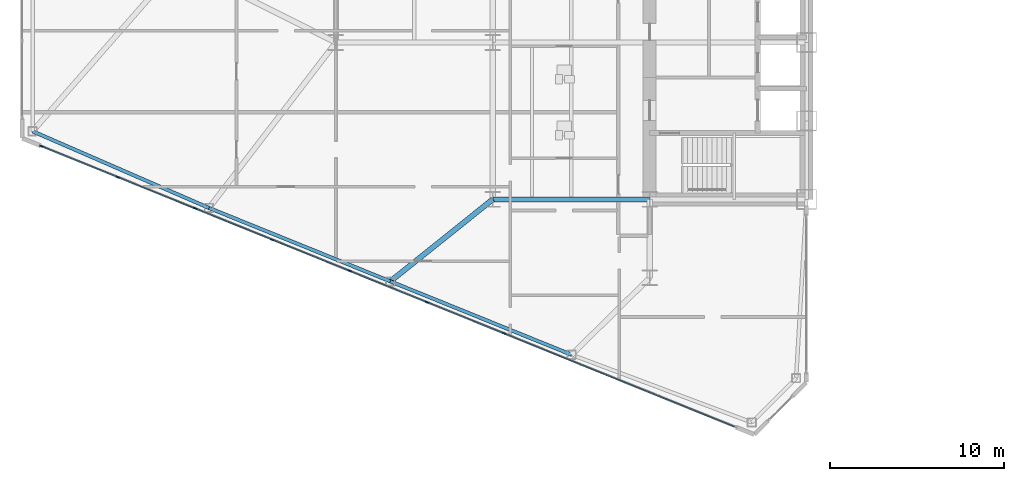
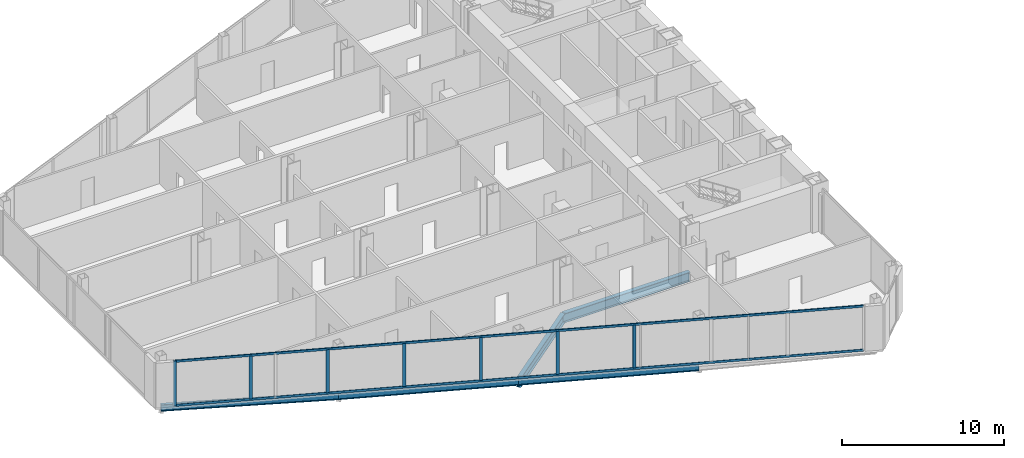
# One storey, part 3 of 25: 9 members, 5 beams, 1 element without a shape of its own.
"""IFC4 building model written with IfcOpenShell, lengths in metres."""

from ifc_helpers import new_model, si_unit, direction, frame, origin, origin_2d, place, context, subcontext, project, spatial, rectangle, i_section, extrude, source, transform, mapped, material, layer, layer_set, material_profile, profile_set, type_object, type_shapes, element, aggregate, save


model = new_model("IFC4")

# Units and contexts
model_context = context("Model", 3, precision=1e-05, world=origin(), true_north=direction((0.0, 1.0)))
body_context = subcontext(model_context, "Body", "Model", "MODEL_VIEW")
ifc_project = project(units=[si_unit("LENGTHUNIT", "METRE"), si_unit("AREAUNIT", "SQUARE_METRE"), si_unit("VOLUMEUNIT", "CUBIC_METRE"), si_unit("PLANEANGLEUNIT", "RADIAN"), si_unit("MASSUNIT", "GRAM", prefix="KILO")], contexts=[model_context])

# Site, building, storey
site_placement = place(None, origin())
site = spatial("IfcSite", under=ifc_project, at=site_placement, CompositionType="ELEMENT")
building_placement = place(site_placement, origin())
building = spatial("IfcBuilding", under=site, at=building_placement, Name="Seokmaru Belvedere", CompositionType="ELEMENT")
storey_placement = place(building_placement, frame((0.0, 0.0, 44.10009765625)))
storey = spatial("IfcBuildingStorey", under=building, at=storey_placement, Name="L11", CompositionType="ELEMENT", Elevation=44.10009765625)

# Beams
ifc_material_1 = material(Name="Steel SM355 (355 MPa)", Category="steel")
ifc_material_profile_1 = material_profile(ifc_material_1, i_section(OverallWidth=0.300048828125, OverallDepth=0.699951171875, WebThickness=0.012939453125, FlangeThickness=0.02392578125, at=origin_2d()), Name="H-700x300x13x24")
ifc_profile_set_1 = profile_set([ifc_material_profile_1], Name="Steel SM355 (355 MPa)")
beam_type_1 = type_object("IfcBeamType", Name="Primary Floor Girder H-700", PredefinedType="BEAM", material=ifc_profile_set_1)
shared_shape_1 = source(origin(), body_context, "Body", "SweptSolid", [
    extrude(i_section(OverallWidth=0.300048828125, OverallDepth=0.699951171875, WebThickness=0.012939453125, FlangeThickness=0.02392578125, at=origin_2d()), origin(), (0.0, 0.0, 1.0), 9.0),
])
beam_1_placement = place(storey_placement, frame((-45.5, -13.5, -0.570068359375), z_axis=(1.0, 0.0, 0.0), x_axis=(0.0, 1.0, 0.0)))
element("IfcBeam", 1, at=beam_1_placement, inside=storey, type_object=beam_type_1, Name="L11 W Wing Primary Girder 1", PredefinedType="BEAM", context=body_context, shape_type="MappedRepresentation", body=[
    mapped(shared_shape_1, transform((0.0, 0.0, 0.0), scale=1.0)),
])
ifc_material_profile_2 = material_profile(ifc_material_1, i_section(OverallWidth=0.199951171875, OverallDepth=0.5, WebThickness=0.010009765625, FlangeThickness=0.01611328125, at=origin_2d()), Name="H-500x200x10x16")
ifc_profile_set_2 = profile_set([ifc_material_profile_2], Name="Steel SM355 (355 MPa)")
beam_type_2 = type_object("IfcBeamType", Name="Perimeter Spandrel Beam H-500", PredefinedType="SPANDREL", material=ifc_profile_set_2)
shared_shape_2 = source(origin(), body_context, "Body", "SweptSolid", [
    extrude(i_section(OverallWidth=0.199951171875, OverallDepth=0.5, WebThickness=0.010009765625, FlangeThickness=0.01611328125, at=origin_2d()), origin(), (0.0, 0.0, 1.0), 11.220703125),
])
for number, where, z_axis, x_axis, name in (
    (2, (-40.977294921875, -22.4140625, -0.47021484375), (-0.926944290816, 0.375198989503, 0.0), (-0.375198989503, -0.926944290816, 0.0), "L11 W Faceted Flank Spandrel S-2"),
    (3, (-51.378173828125, -18.2041015625, -0.47021484375), (-0.926944290816, 0.375198989503, 0.0), (-0.375198989503, -0.926944290816, 0.0), "L11 W Faceted Flank Spandrel S-3"),
):
    element("IfcBeam", number, at=place(storey_placement, frame(where, z_axis=z_axis, x_axis=x_axis)), inside=storey, type_object=beam_type_2, Name=name, PredefinedType="SPANDREL", context=body_context, shape_type="MappedRepresentation", body=[
        mapped(shared_shape_2, transform((0.0, 0.0, 0.0), scale=1.0)),
    ])
shared_shape_3 = source(origin(), body_context, "Body", "SweptSolid", [
    extrude(i_section(OverallWidth=0.199951171875, OverallDepth=0.5, WebThickness=0.010009765625, FlangeThickness=0.01611328125, at=origin_2d()), origin(), (0.0, 0.0, 1.0), 11.035400390625),
])
type_shapes(beam_type_2, [shared_shape_2, shared_shape_3])
beam_2_placement = place(storey_placement, frame((-61.779052734375, -13.994140625, -0.47021484375), z_axis=(-0.917134058682, 0.398578873507, 0.0), x_axis=(-0.398578873507, -0.917134058682, 0.0)))
element("IfcBeam", 4, at=beam_2_placement, inside=storey, type_object=beam_type_2, Name="L11 W Faceted Flank Spandrel S-4", PredefinedType="SPANDREL", context=body_context, shape_type="MappedRepresentation", body=[
    mapped(shared_shape_3, transform((0.0, 0.0, 0.0), scale=1.0)),
])
shared_shape_4 = source(origin(), body_context, "Body", "SweptSolid", [
    extrude(i_section(OverallWidth=0.300048828125, OverallDepth=0.699951171875, WebThickness=0.012939453125, FlangeThickness=0.02392578125, at=origin_2d()), origin(), (0.0, 0.0, 1.0), 7.52880859375),
])
type_shapes(beam_type_1, [shared_shape_1, shared_shape_4])
beam_3_placement = place(storey_placement, frame((-51.378173828125, -18.2041015625, -0.570068359375), z_axis=(0.780767560736, 0.624821587418, 0.0), x_axis=(-0.624821587418, 0.780767560736, 0.0)))
element("IfcBeam", 5, at=beam_3_placement, inside=storey, type_object=beam_type_1, Name="L11 W Flank Radial Floor Girder S-2", PredefinedType="BEAM", context=body_context, shape_type="MappedRepresentation", body=[
    mapped(shared_shape_4, transform((0.0, 0.0, 0.0), scale=1.0)),
])

# Curtain wall, members
ifc_material_2 = material(Name="Bronze Triple Insulating Glass", Category="glass")
ifc_layer = layer(ifc_material_2, 0.2099609375)
ifc_layer_set = layer_set([ifc_layer], Name="Bronze Triple Insulating Glass")
curtain_wall_type = type_object("IfcCurtainWallType", Name="Low-Rise Faceted Crystal Curtain Wall System CW-2", PredefinedType="NOTDEFINED", material=ifc_layer_set)
curtain_wall_placement = place(storey_placement, origin())
curtain_wall = element("IfcCurtainWall", 6, at=curtain_wall_placement, inside=storey, type_object=curtain_wall_type, Name="L11 Curtain Wall WF5", PredefinedType="NOTDEFINED")
ifc_material_3 = material(Name="Anodised Bronze Aluminium", Category="aluminium")
ifc_material_profile_3 = material_profile(ifc_material_3, rectangle(XDim=0.074951171875, YDim=0.2099609375, at=origin_2d()), Name="CW-M-75x210")
ifc_profile_set_3 = profile_set([ifc_material_profile_3], Name="Anodised Bronze Aluminium")
member_type_1 = type_object("IfcMemberType", Name="Bronze Unitised Mullion 75x210", PredefinedType="MULLION", material=ifc_profile_set_3)
shared_shape_5 = source(origin(), body_context, "Body", "SweptSolid", [
    extrude(rectangle(XDim=0.074951171875, YDim=0.2099609375, at=origin_2d()), origin(), (0.0, 0.0, 1.0), 3.239990234375),
])
member_1_placement = place(storey_placement, frame((-67.004150390625, -12.224609375, 0.06982421875), z_axis=(0.0, 0.0, 1.0), x_axis=(0.375192321888, 0.926946989637, 0.0)))
member_1 = element("IfcMember", 7, at=member_1_placement, type_object=member_type_1, Name="CW:L11:WF5 Mullion 2", PredefinedType="MULLION", context=body_context, shape_type="MappedRepresentation", body=[
    mapped(shared_shape_5, transform((0.0, 0.0, 0.0), scale=1.0)),
])
member_2_placement = place(storey_placement, frame((-62.574462890625, -14.017578125, 0.06982421875), z_axis=(0.0, 0.0, 1.0), x_axis=(0.375192321888, 0.926946989637, 0.0)))
member_2 = element("IfcMember", 8, at=member_2_placement, type_object=member_type_1, Name="CW:L11:WF5 Mullion 3", PredefinedType="MULLION", context=body_context, shape_type="MappedRepresentation", body=[
    mapped(shared_shape_5, transform((0.0, 0.0, 0.0), scale=1.0)),
])
member_3_placement = place(storey_placement, frame((-58.144775390625, -15.810546875, 0.06982421875), z_axis=(0.0, 0.0, 1.0), x_axis=(0.375192321888, 0.926946989637, 0.0)))
member_3 = element("IfcMember", 9, at=member_3_placement, type_object=member_type_1, Name="CW:L11:WF5 Mullion 4", PredefinedType="MULLION", context=body_context, shape_type="MappedRepresentation", body=[
    mapped(shared_shape_5, transform((0.0, 0.0, 0.0), scale=1.0)),
])
member_4_placement = place(storey_placement, frame((-53.71484375, -17.603515625, 0.06982421875), z_axis=(0.0, 0.0, 1.0), x_axis=(0.375192321888, 0.926946989637, 0.0)))
member_4 = element("IfcMember", 10, at=member_4_placement, type_object=member_type_1, Name="CW:L11:WF5 Mullion 5", PredefinedType="MULLION", context=body_context, shape_type="MappedRepresentation", body=[
    mapped(shared_shape_5, transform((0.0, 0.0, 0.0), scale=1.0)),
])
member_5_placement = place(storey_placement, frame((-49.28515625, -19.396484375, 0.06982421875), z_axis=(0.0, 0.0, 1.0), x_axis=(0.375192321888, 0.926946989637, 0.0)))
member_5 = element("IfcMember", 11, at=member_5_placement, type_object=member_type_1, Name="CW:L11:WF5 Mullion 6", PredefinedType="MULLION", context=body_context, shape_type="MappedRepresentation", body=[
    mapped(shared_shape_5, transform((0.0, 0.0, 0.0), scale=1.0)),
])
member_6_placement = place(storey_placement, frame((-44.855224609375, -21.189453125, 0.06982421875), z_axis=(0.0, 0.0, 1.0), x_axis=(0.375192321888, 0.926946989637, 0.0)))
member_6 = element("IfcMember", 12, at=member_6_placement, type_object=member_type_1, Name="CW:L11:WF5 Mullion 7", PredefinedType="MULLION", context=body_context, shape_type="MappedRepresentation", body=[
    mapped(shared_shape_5, transform((0.0, 0.0, 0.0), scale=1.0)),
])
ifc_material_profile_4 = material_profile(ifc_material_3, rectangle(XDim=0.070068359375, YDim=0.1650390625, at=origin_2d()), Name="CW-T-70x165")
ifc_profile_set_4 = profile_set([ifc_material_profile_4], Name="Anodised Bronze Aluminium")
member_type_2 = type_object("IfcMemberType", Name="Bronze Unitised Transom 70x165", PredefinedType="USERDEFINED", material=ifc_profile_set_4)
shared_shape_6 = source(origin(), body_context, "Body", "SweptSolid", [
    extrude(rectangle(XDim=0.070068359375, YDim=0.1650390625, at=origin_2d()), origin(), (0.0, 0.0, 1.0), 42.860107421875),
])
type_shapes(member_type_2, [shared_shape_6])
member_7_placement = place(storey_placement, frame((-71.364501953125, -10.459716796875, 0.034912109375), z_axis=(0.926948605599, -0.375188329481, 0.0), x_axis=(0.375188329481, 0.926948605599, 0.0)))
member_7 = element("IfcMember", 13, at=member_7_placement, type_object=member_type_2, Name="CW:L11:WF5 Continuous Transom 1", ObjectType="TRANSOM", PredefinedType="USERDEFINED", context=body_context, shape_type="MappedRepresentation", body=[
    mapped(shared_shape_6, transform((0.0, 0.0, 0.0), scale=1.0)),
])
member_8_placement = place(storey_placement, frame((-71.364501953125, -10.459716796875, 3.344970703125), z_axis=(0.926948605599, -0.375188329481, 0.0), x_axis=(0.375188329481, 0.926948605599, 0.0)))
member_8 = element("IfcMember", 14, at=member_8_placement, type_object=member_type_2, Name="CW:L11:WF5 Continuous Transom 2", ObjectType="TRANSOM", PredefinedType="USERDEFINED", context=body_context, shape_type="MappedRepresentation", body=[
    mapped(shared_shape_6, transform((0.0, 0.0, 0.0), scale=1.0)),
])
shared_shape_7 = source(origin(), body_context, "Body", "SweptSolid", [
    extrude(rectangle(XDim=0.074951171875, YDim=0.2099609375, at=origin_2d()), origin(), (0.0, 0.0, 1.0), 3.3798828125),
])
type_shapes(member_type_1, [shared_shape_5, shared_shape_7])
member_9_placement = place(storey_placement, frame((-71.399169921875, -10.445556640625, 0.0), z_axis=(0.0, 0.0, 1.0), x_axis=(0.375192321888, 0.926946989637, 0.0)))
member_9 = element("IfcMember", 15, at=member_9_placement, type_object=member_type_1, Name="CW:L11:WF5 Mullion 1", PredefinedType="MULLION", context=body_context, shape_type="MappedRepresentation", body=[
    mapped(shared_shape_7, transform((0.0, 0.0, 0.0), scale=1.0)),
])
aggregate(curtain_wall, [member_9, member_1, member_2, member_3, member_4, member_5, member_6, member_7, member_8])

save(model, "model.ifc")
